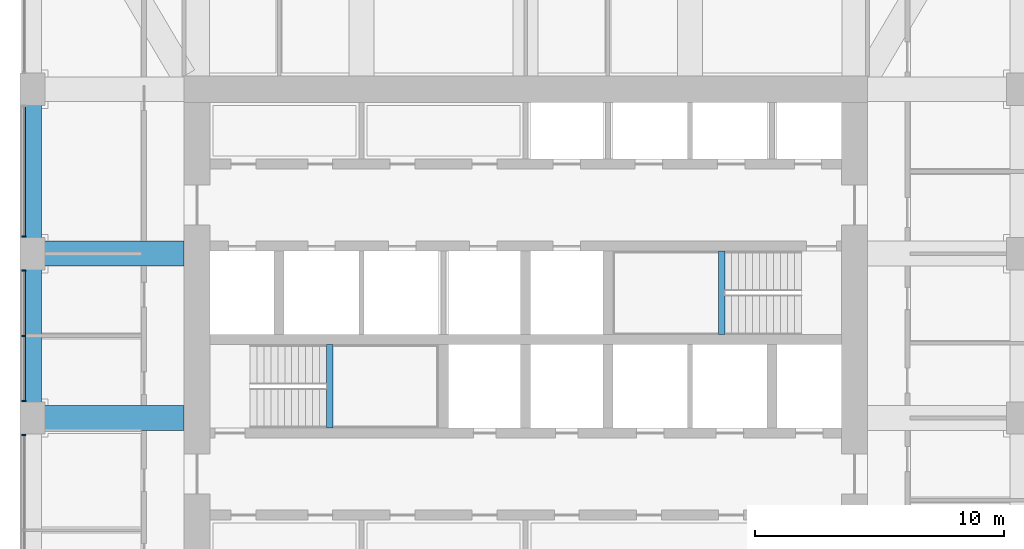
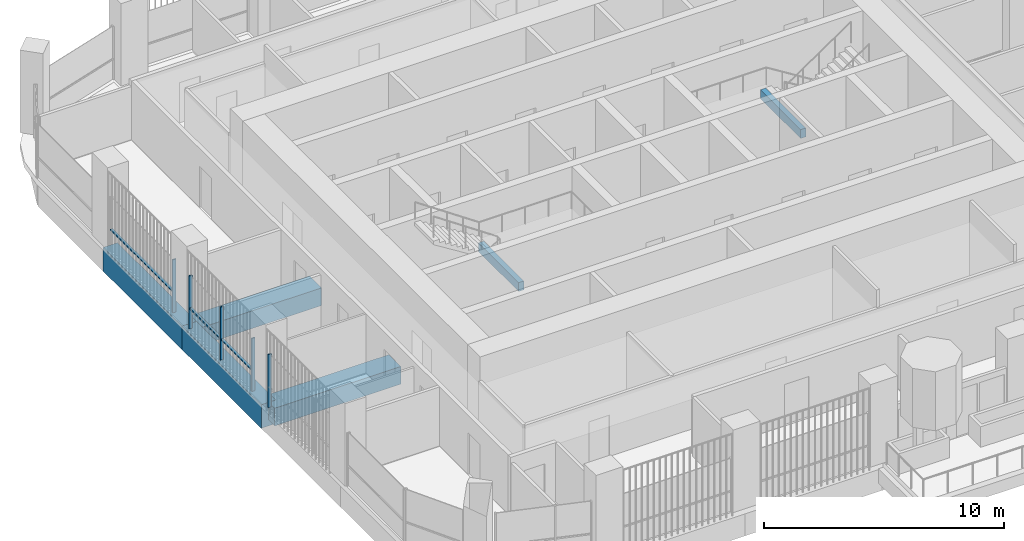
# One storey, part 4 of 21: 8 members, 6 beams, 3 elements without a shape of their own.
"""IFC4 building model written with IfcOpenShell, lengths in metres."""

from ifc_helpers import new_model, si_unit, direction, frame, origin, origin_2d, place, context, subcontext, project, spatial, rectangle, extrude, material, material_profile, profile_set, type_object, element, aggregate, save


model = new_model("IFC4")

# Units and contexts
model_context = context("Model", 3, precision=1e-05, world=origin(), true_north=direction((0.0, 1.0)))
body_context = subcontext(model_context, "Body", "Model", "MODEL_VIEW")
ifc_project = project(units=[si_unit("LENGTHUNIT", "METRE"), si_unit("AREAUNIT", "SQUARE_METRE"), si_unit("VOLUMEUNIT", "CUBIC_METRE"), si_unit("PLANEANGLEUNIT", "RADIAN"), si_unit("MASSUNIT", "GRAM", prefix="KILO")], contexts=[model_context])

# Site, building, storey
site_placement = place(None, origin())
site = spatial("IfcSite", under=ifc_project, at=site_placement, CompositionType="ELEMENT")
building_placement = place(site_placement, origin())
building = spatial("IfcBuilding", under=site, at=building_placement, Name="Cobogo Forest Laboratory Tower", CompositionType="ELEMENT")
storey_placement = place(building_placement, frame((0.0, 0.0, 250.199951171875)))
storey = spatial("IfcBuildingStorey", under=building, at=storey_placement, Name="L57", CompositionType="ELEMENT", Elevation=250.199951171875)

# Beams
ifc_material_1 = material(Name="Concrete HA-40 (C40/50)", Category="concrete")
ifc_material_profile_1 = material_profile(ifc_material_1, rectangle(XDim=0.25, YDim=0.449951171875, at=origin_2d()), Name="RC 250x450")
ifc_profile_set_1 = profile_set([ifc_material_profile_1], Name="Concrete HA-40 (C40/50)")
beam_type_1 = type_object("IfcBeamType", Name="LB1 landing beam 250x450", PredefinedType="BEAM", material=ifc_profile_set_1)
for number, where, z_axis, x_axis, name in (
    (1, (18.530029296875, 19.39990234375, 1.675048828125), (0.0, 1.0, 0.0), (-1.0, 0.0, 0.0), "Landing beam ST1 L57"),
    (2, (34.27001953125, 23.14990234375, 1.675048828125), (0.0, 1.0, 0.0), (-1.0, 0.0, 0.0), "Landing beam ST2 L57"),
):
    element("IfcBeam", number, at=place(storey_placement, frame(where, z_axis=z_axis, x_axis=x_axis)), inside=storey, type_object=beam_type_1, Name=name, PredefinedType="BEAM", context=body_context, shape_type="SweptSolid", body=[
        extrude(rectangle(XDim=0.25, YDim=0.449951171875, at=origin_2d()), origin(), (0.0, 0.0, 1.0), 3.35009765625),
    ])

# Curtain wall, member
ifc_material_2 = material(Name="Aluminium curtain wall", Category="aluminium")
curtain_wall_type = type_object("IfcCurtainWallType", Name="CW-2 unitised curtain wall, solar control glazing, laboratory floors zones C and D", PredefinedType="USERDEFINED", material=ifc_material_2)
curtain_wall_1_placement = place(storey_placement, origin())
curtain_wall_1 = element("IfcCurtainWall", 3, at=curtain_wall_1_placement, inside=storey, type_object=curtain_wall_type, Name="Curtain wall 21 L57", ObjectType="UNITISED CURTAIN WALL", PredefinedType="USERDEFINED")
ifc_material_3 = material(Name="Aluminium mullion", Category="aluminium")
ifc_material_profile_2 = material_profile(ifc_material_3, rectangle(XDim=0.06005859375, YDim=0.159912109375, at=origin_2d()), Name="AL 60x160")
ifc_profile_set_2 = profile_set([ifc_material_profile_2], Name="Aluminium mullion")
member_type_1 = type_object("IfcMemberType", Name="MU-1 aluminium mullion 60x160", PredefinedType="MULLION", material=ifc_profile_set_2)
member_1_placement = place(storey_placement, frame((6.25, 27.080078125, 0.0), z_axis=(0.0, 0.0, 1.0), x_axis=(0.0, -1.0, 0.0)))
member_1 = element("IfcMember", 4, at=member_1_placement, type_object=member_type_1, Name="CW-2 mullion 2", PredefinedType="MULLION", context=body_context, shape_type="SweptSolid", body=[
    extrude(rectangle(XDim=0.06005859375, YDim=0.159912109375, at=origin_2d()), origin(), (0.0, 0.0, 1.0), 2.699951171875),
])

# Curtain wall, members
curtain_wall_2_placement = place(storey_placement, origin())
curtain_wall_2 = element("IfcCurtainWall", 5, at=curtain_wall_2_placement, inside=storey, type_object=curtain_wall_type, Name="Curtain wall 22 L57", ObjectType="UNITISED CURTAIN WALL", PredefinedType="USERDEFINED")
member_2_placement = place(storey_placement, frame((6.25, 25.719970703125, 0.0), z_axis=(0.0, 0.0, 1.0), x_axis=(0.0, -1.0, 0.0)))
member_2 = element("IfcMember", 6, at=member_2_placement, type_object=member_type_1, Name="CW-2 mullion 1", PredefinedType="MULLION", context=body_context, shape_type="SweptSolid", body=[
    extrude(rectangle(XDim=0.06005859375, YDim=0.159912109375, at=origin_2d()), origin(), (0.0, 0.0, 1.0), 2.699951171875),
])
member_3_placement = place(storey_placement, frame((6.25, 23.10009765625, 0.0), z_axis=(0.0, 0.0, 1.0), x_axis=(0.0, -1.0, 0.0)))
member_3 = element("IfcMember", 7, at=member_3_placement, type_object=member_type_1, Name="CW-2 mullion 2", PredefinedType="MULLION", context=body_context, shape_type="SweptSolid", body=[
    extrude(rectangle(XDim=0.06005859375, YDim=0.159912109375, at=origin_2d()), origin(), (0.0, 0.0, 1.0), 2.699951171875),
])
member_4_placement = place(storey_placement, frame((6.25, 20.47998046875, 0.0), z_axis=(0.0, 0.0, 1.0), x_axis=(0.0, -1.0, 0.0)))
member_4 = element("IfcMember", 8, at=member_4_placement, type_object=member_type_1, Name="CW-2 mullion 3", PredefinedType="MULLION", context=body_context, shape_type="SweptSolid", body=[
    extrude(rectangle(XDim=0.06005859375, YDim=0.159912109375, at=origin_2d()), origin(), (0.0, 0.0, 1.0), 2.699951171875),
])

# Curtain wall, member
curtain_wall_3_placement = place(storey_placement, origin())
curtain_wall_3 = element("IfcCurtainWall", 9, at=curtain_wall_3_placement, inside=storey, type_object=curtain_wall_type, Name="Curtain wall 23 L57", ObjectType="UNITISED CURTAIN WALL", PredefinedType="USERDEFINED")
member_5_placement = place(storey_placement, frame((6.25, 19.1201171875, 0.0), z_axis=(0.0, 0.0, 1.0), x_axis=(0.0, -1.0, 0.0)))
member_5 = element("IfcMember", 10, at=member_5_placement, type_object=member_type_1, Name="CW-2 mullion 1", PredefinedType="MULLION", context=body_context, shape_type="SweptSolid", body=[
    extrude(rectangle(XDim=0.06005859375, YDim=0.159912109375, at=origin_2d()), origin(), (0.0, 0.0, 1.0), 2.699951171875),
])
aggregate(curtain_wall_3, [member_5])

# Beams
ifc_material_profile_3 = material_profile(ifc_material_1, rectangle(XDim=1.0, YDim=0.89990234375, at=origin_2d()), Name="RC 1000x900")
ifc_profile_set_3 = profile_set([ifc_material_profile_3], Name="Concrete HA-40 (C40/50)")
beam_type_2 = type_object("IfcBeamType", Name="Office floor wide beam 1000x900", PredefinedType="BEAM", material=ifc_profile_set_3)
for number, where, z_axis, x_axis, name in (
    (11, (12.675048828125, 19.800048828125, -0.75), (-1.0, 0.0, 0.0), (0.0, -1.0, 0.0), "RB2 R-D-W L57"),
    (12, (12.675048828125, 26.39990234375, -0.75), (-1.0, 0.0, 0.0), (0.0, -1.0, 0.0), "RB2 R-E-W L57"),
):
    element("IfcBeam", number, at=place(storey_placement, frame(where, z_axis=z_axis, x_axis=x_axis)), inside=storey, type_object=beam_type_2, Name=name, PredefinedType="BEAM", context=body_context, shape_type="SweptSolid", body=[
        extrude(rectangle(XDim=1.0, YDim=0.89990234375, at=origin_2d()), origin(), (0.0, 0.0, 1.0), 6.074951171875),
    ])
ifc_material_profile_4 = material_profile(ifc_material_1, rectangle(XDim=0.699951171875, YDim=1.199951171875, at=origin_2d()), Name="RC 700x1200")
ifc_profile_set_4 = profile_set([ifc_material_profile_4], Name="Concrete HA-40 (C40/50)")
beam_type_3 = type_object("IfcBeamType", Name="Perimeter edge beam 700x1200", PredefinedType="BEAM", material=ifc_profile_set_4)
beam_1_placement = place(storey_placement, frame((6.60009765625, 19.800048828125, -0.89990234375), z_axis=(0.0, 1.0, 0.0), x_axis=(-1.0, 0.0, 0.0)))
element("IfcBeam", 13, at=beam_1_placement, inside=storey, type_object=beam_type_3, Name="EB1 E-W2 L57", PredefinedType="BEAM", context=body_context, shape_type="SweptSolid", body=[
    extrude(rectangle(XDim=0.699951171875, YDim=1.199951171875, at=origin_2d()), origin(), (0.0, 0.0, 1.0), 6.599853515625),
])
beam_2_placement = place(storey_placement, frame((6.60009765625, 26.39990234375, -0.89990234375), z_axis=(0.0, 1.0, 0.0), x_axis=(-1.0, 0.0, 0.0)))
element("IfcBeam", 14, at=beam_2_placement, inside=storey, type_object=beam_type_3, Name="EB1 E-W3 L57", PredefinedType="BEAM", context=body_context, shape_type="SweptSolid", body=[
    extrude(rectangle(XDim=0.699951171875, YDim=1.199951171875, at=origin_2d()), origin(), (0.0, 0.0, 1.0), 6.60009765625),
])

# Member
ifc_material_4 = material(Name="Aluminium transom", Category="aluminium")
ifc_material_profile_5 = material_profile(ifc_material_4, rectangle(XDim=0.1201171875, YDim=0.06005859375, at=origin_2d()), Name="AL 60x120")
ifc_profile_set_5 = profile_set([ifc_material_profile_5], Name="Aluminium transom")
member_type_2 = type_object("IfcMemberType", Name="TR-1 aluminium transom 60x120", PredefinedType="USERDEFINED", material=ifc_profile_set_5)
member_6_placement = place(storey_placement, frame((6.25, 32.2900390625, 1.050048828125), z_axis=(0.0, -1.0, 0.0), x_axis=(1.0, 0.0, 0.0)))
member_6 = element("IfcMember", 15, at=member_6_placement, type_object=member_type_2, Name="CW-2 transom 1.1", ObjectType="TRANSOM", PredefinedType="USERDEFINED", context=body_context, shape_type="SweptSolid", body=[
    extrude(rectangle(XDim=0.1201171875, YDim=0.06005859375, at=origin_2d()), origin(), (0.0, 0.0, 1.0), 5.179931640625),
])

aggregate(curtain_wall_1, [member_1, member_6])

member_7_placement = place(storey_placement, frame((6.25, 25.68994140625, 1.050048828125), z_axis=(0.0, -1.0, 0.0), x_axis=(1.0, 0.0, 0.0)))
member_7 = element("IfcMember", 16, at=member_7_placement, type_object=member_type_2, Name="CW-2 transom 1.1", ObjectType="TRANSOM", PredefinedType="USERDEFINED", context=body_context, shape_type="SweptSolid", body=[
    extrude(rectangle(XDim=0.1201171875, YDim=0.06005859375, at=origin_2d()), origin(), (0.0, 0.0, 1.0), 2.56005859375),
])

member_8_placement = place(storey_placement, frame((6.25, 23.070068359375, 1.050048828125), z_axis=(0.0, -1.0, 0.0), x_axis=(1.0, 0.0, 0.0)))
member_8 = element("IfcMember", 17, at=member_8_placement, type_object=member_type_2, Name="CW-2 transom 2.1", ObjectType="TRANSOM", PredefinedType="USERDEFINED", context=body_context, shape_type="SweptSolid", body=[
    extrude(rectangle(XDim=0.1201171875, YDim=0.06005859375, at=origin_2d()), origin(), (0.0, 0.0, 1.0), 2.56005859375),
])

aggregate(curtain_wall_2, [member_2, member_3, member_4, member_7, member_8])

save(model, "model.ifc")
